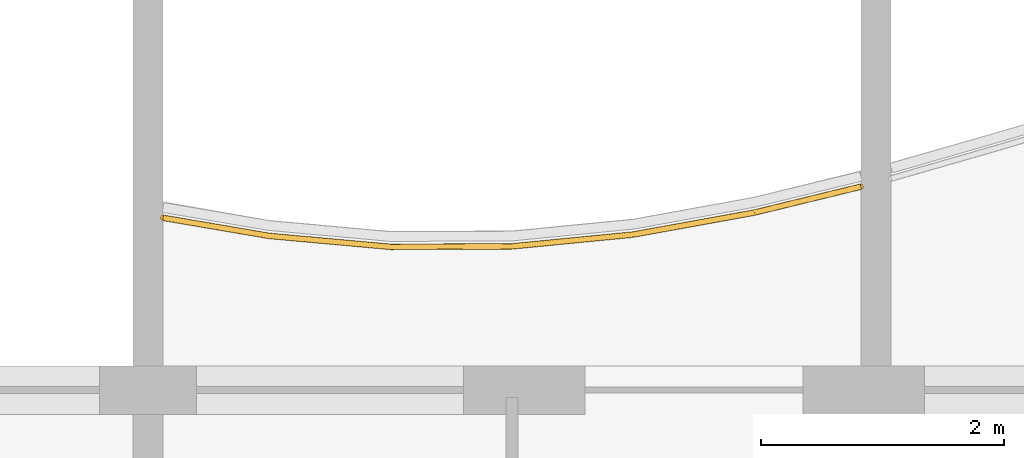
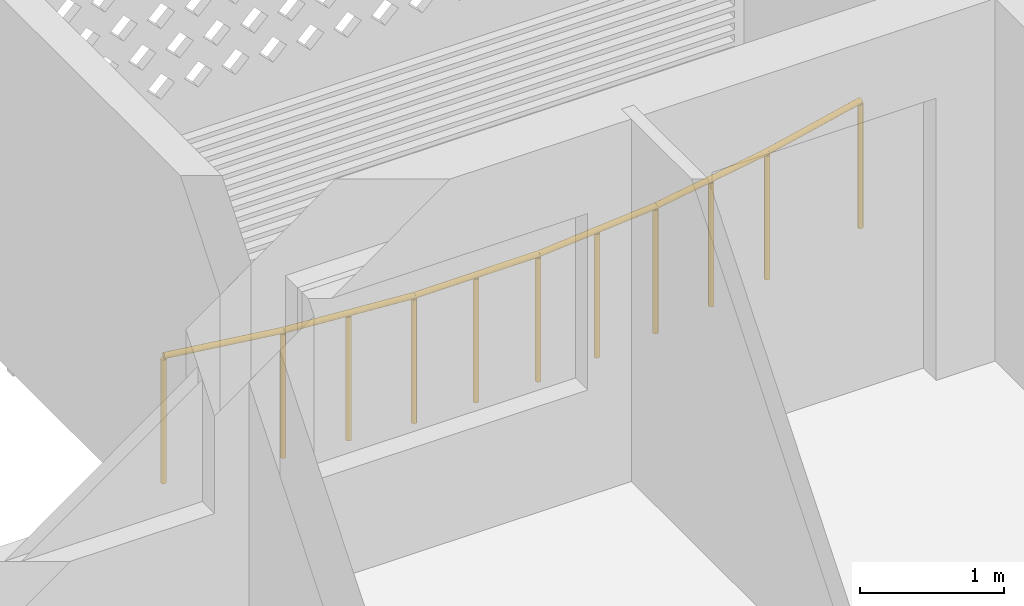
# One storey, part 18 of 29: 1 railing.
"""IFC4 building model written with IfcOpenShell, lengths in metres."""

from ifc_helpers import new_model, si_unit, direction, frame, origin, origin_2d, place, context, subcontext, project, spatial, circle, extrude, material, type_object, element, save


model = new_model("IFC4")

# Units and contexts
model_context = context("Model", 3, precision=1e-05, world=origin(), true_north=direction((0.0, 1.0)))
body_context = subcontext(model_context, "Body", "Model", "MODEL_VIEW")
ifc_project = project(units=[si_unit("LENGTHUNIT", "METRE"), si_unit("AREAUNIT", "SQUARE_METRE"), si_unit("VOLUMEUNIT", "CUBIC_METRE"), si_unit("PLANEANGLEUNIT", "RADIAN"), si_unit("MASSUNIT", "GRAM", prefix="KILO")], contexts=[model_context])

# Site, building, storey
site_placement = place(None, origin())
site = spatial("IfcSite", under=ifc_project, at=site_placement, CompositionType="ELEMENT")
building_placement = place(site_placement, origin())
building = spatial("IfcBuilding", under=site, at=building_placement, Name="Poui Terraces", CompositionType="ELEMENT")
storey_placement = place(building_placement, frame((0.0, 0.0, 234.60009765625)))
storey = spatial("IfcBuildingStorey", under=building, at=storey_placement, Name="L65", CompositionType="ELEMENT", Elevation=234.60009765625)

# Railing
ifc_material = material(Name="Painted steel fretwork", Category="steel")
railing_type = type_object("IfcRailingType", Name="BALCONY GUARD 1100", PredefinedType="GUARDRAIL", material=ifc_material)
railing_placement = place(storey_placement, frame((36.125, 42.619384765625, 0.0)))
element("IfcRailing", 1, at=railing_placement, inside=storey, type_object=railing_type, Name="BALCONY GUARD", PredefinedType="GUARDRAIL", context=body_context, shape_type="SweptSolid", body=[
    extrude(circle(Radius=0.02392578125, at=origin_2d()), frame((0.0, 0.0, 1.076171875), z_axis=(0.985777573942, -0.16805527279, 0.0), x_axis=(0.16805527279, 0.985777573942, 0.0)), (0.0, 0.0, 1.0), 0.8876953125),
    extrude(circle(Radius=0.02392578125, at=origin_2d()), frame((0.875, -0.149169921875, 1.076171875), z_axis=(0.995966620108, -0.089724531938, 0.0), x_axis=(0.089724531938, 0.995966620108, 0.0)), (0.0, 0.0, 1.0), 1.004150390625),
    extrude(circle(Radius=0.02392578125, at=origin_2d()), frame((1.875, -0.2392578125, 1.076171875), z_axis=(0.999992370693, 0.003906220198, 0.0), x_axis=(-0.003906220198, 0.999992370693, 0.0)), (0.0, 0.0, 1.0), 1.0),
    extrude(circle(Radius=0.02392578125, at=origin_2d()), frame((2.875, -0.2353515625, 1.076171875), z_axis=(0.995265465661, 0.097193893131, 0.0), x_axis=(-0.097193893131, 0.995265465661, 0.0)), (0.0, 0.0, 1.0), 1.004638671875),
    extrude(circle(Radius=0.02392578125, at=origin_2d()), frame((3.875, -0.1376953125, 1.076171875), z_axis=(0.983942855126, 0.178483774746, 0.0), x_axis=(-0.178483774746, 0.983942855126, 0.0)), (0.0, 0.0, 1.0), 1.016357421875),
    extrude(circle(Radius=0.02392578125, at=origin_2d()), frame((4.875, 0.043701171875, 1.076171875), z_axis=(0.971591834647, 0.236662854812, 0.0), x_axis=(-0.236662854812, 0.971591834647, 0.0)), (0.0, 0.0, 1.0), 0.900634765625),
    extrude(circle(Radius=0.02099609375, at=origin_2d()), origin(), (0.0, 0.0, 1.0), 1.052001953125),
    extrude(circle(Radius=0.02099609375, at=origin_2d()), frame((0.875, -0.149169921875, 0.0)), (0.0, 0.0, 1.0), 1.052001953125),
    extrude(circle(Radius=0.02099609375, at=origin_2d()), frame((1.375, -0.1943359375, 0.0)), (0.0, 0.0, 1.0), 1.052001953125),
    extrude(circle(Radius=0.02099609375, at=origin_2d()), frame((1.875, -0.2392578125, 0.0)), (0.0, 0.0, 1.0), 1.052001953125),
    extrude(circle(Radius=0.02099609375, at=origin_2d()), frame((2.375, -0.2373046875, 0.0)), (0.0, 0.0, 1.0), 1.052001953125),
    extrude(circle(Radius=0.02099609375, at=origin_2d()), frame((2.875, -0.2353515625, 0.0)), (0.0, 0.0, 1.0), 1.052001953125),
    extrude(circle(Radius=0.02099609375, at=origin_2d()), frame((3.375, -0.1865234375, 0.0)), (0.0, 0.0, 1.0), 1.052001953125),
    extrude(circle(Radius=0.02099609375, at=origin_2d()), frame((3.875, -0.1376953125, 0.0)), (0.0, 0.0, 1.0), 1.052001953125),
    extrude(circle(Radius=0.02099609375, at=origin_2d()), frame((4.375, -0.046875, 0.0)), (0.0, 0.0, 1.0), 1.052001953125),
    extrude(circle(Radius=0.02099609375, at=origin_2d()), frame((4.875, 0.043701171875, 0.0)), (0.0, 0.0, 1.0), 1.052001953125),
    extrude(circle(Radius=0.02099609375, at=origin_2d()), frame((5.75, 0.2568359375, 0.0)), (0.0, 0.0, 1.0), 1.052001953125),
])

save(model, "model.ifc")
